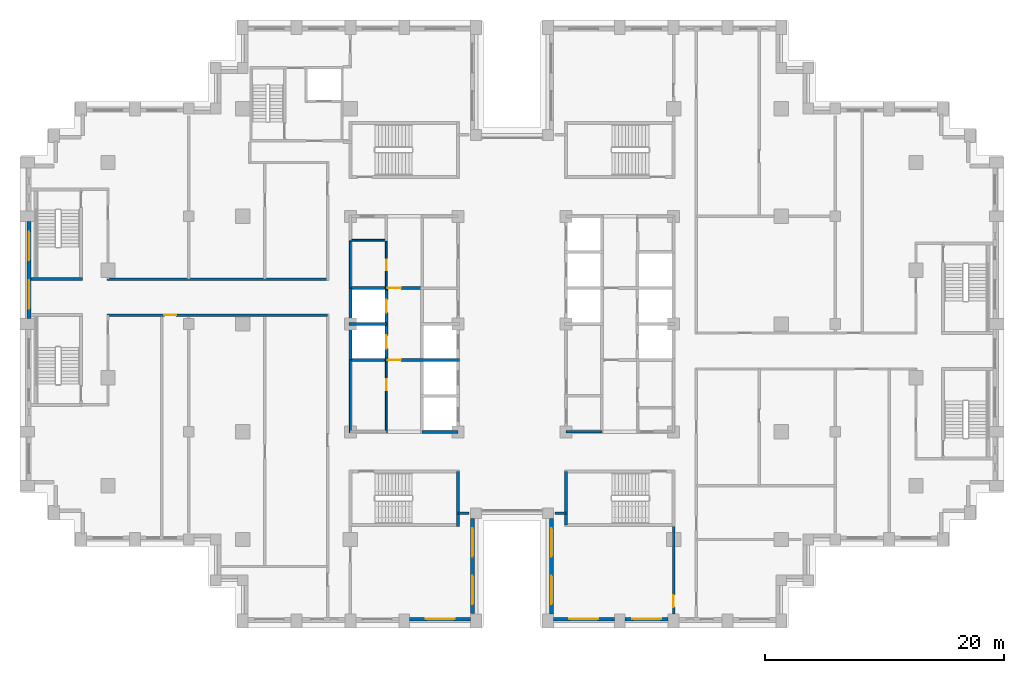
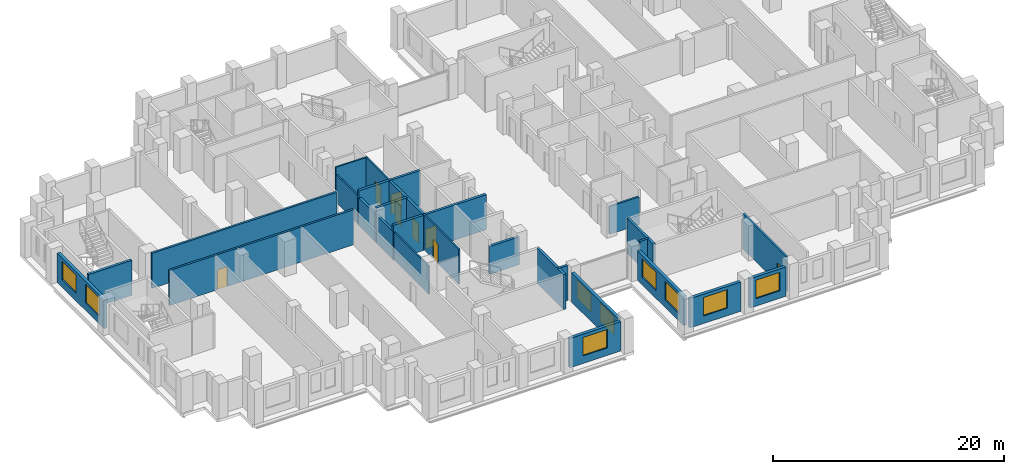
# One storey, part 7 of 16: 26 walls, 9 windows, 8 doors, 17 openings.
"""IFC4 building model written with IfcOpenShell, lengths in metres."""

from ifc_helpers import new_model, si_unit, direction, frame, frame_2d, origin, place, context, subcontext, project, spatial, rectangle, extrude, material, layer, layer_set, type_object, element, fill, save


model = new_model("IFC4")

# Units and contexts
model_context = context("Model", 3, precision=1e-05, world=origin(), true_north=direction((0.0, 1.0)))
body_context = subcontext(model_context, "Body", "Model", "MODEL_VIEW")
ifc_project = project(units=[si_unit("LENGTHUNIT", "METRE"), si_unit("AREAUNIT", "SQUARE_METRE"), si_unit("VOLUMEUNIT", "CUBIC_METRE"), si_unit("PLANEANGLEUNIT", "RADIAN"), si_unit("MASSUNIT", "GRAM", prefix="KILO")], contexts=[model_context])

# Site, building, storey
site_placement = place(None, origin())
site = spatial("IfcSite", under=ifc_project, at=site_placement, CompositionType="ELEMENT")
building_placement = place(site_placement, origin())
building = spatial("IfcBuilding", under=site, at=building_placement, Name="Corbelhall Arena Tower", CompositionType="ELEMENT")
storey_placement = place(building_placement, frame((0.0, 0.0, 104.0)))
storey = spatial("IfcBuildingStorey", under=building, at=storey_placement, Name="L18", CompositionType="ELEMENT", Elevation=104.0)

# Wall, openings, windows
ifc_material_1 = material(Name="Precast concrete C40/50 with granite facing", Category="masonry")
ifc_layer_1 = layer(ifc_material_1, 0.300048828125)
ifc_layer_set_1 = layer_set([ifc_layer_1], Name="EV-IW1 Infill panel 300")
wall_type_1 = type_object("IfcWallType", Name="EV-IW1 Infill panel 300", PredefinedType="SOLIDWALL", material=ifc_layer_set_1)
wall_1_placement = place(storey_placement, frame((-40.35009765625, 8.550048828125, 0.0), z_axis=(0.0, 0.0, 1.0), x_axis=(0.0, -1.0, 0.0)))
wall_1 = element("IfcWall", 1, at=wall_1_placement, inside=storey, type_object=wall_type_1, Name="Infill panel IW1", PredefinedType="SOLIDWALL", context=body_context, shape_type="SweptSolid", body=[
    extrude(rectangle(XDim=8.10009765625, YDim=0.300048828125, at=frame_2d((4.050048828125, 0.0))), origin(), (0.0, 0.0, 1.0), 3.10009765625),
])
opening_1_placement = place(wall_1_placement, frame((0.824951171875, 0.0, 0.800048828125)))
opening_1 = element("IfcOpeningElement", 2, at=opening_1_placement, cuts=wall_1, Name="Opening WN1", PredefinedType="OPENING", context=body_context, shape_type="SweptSolid", body=[
    extrude(rectangle(XDim=2.39990234375, YDim=1.949951171875, at=frame_2d((1.199951171875, 0.97509765625))), frame((0.0, 0.14990234375, 0.0), z_axis=(0.0, -1.0, 0.0), x_axis=(1.0, 0.0, 0.0)), (0.0, 0.0, 1.0), 0.300048828125),
])
opening_2_placement = place(wall_1_placement, frame((4.875, 0.0, 0.800048828125)))
opening_2 = element("IfcOpeningElement", 3, at=opening_2_placement, cuts=wall_1, Name="Opening WN1", PredefinedType="OPENING", context=body_context, shape_type="SweptSolid", body=[
    extrude(rectangle(XDim=2.39990234375, YDim=1.949951171875, at=frame_2d((1.199951171875, 0.97509765625))), frame((0.0, 0.14990234375, 0.0), z_axis=(0.0, -1.0, 0.0), x_axis=(1.0, 0.0, 0.0)), (0.0, 0.0, 1.0), 0.300048828125),
])
ifc_material_2 = material(Name="Aluminium black anodised", Category="aluminium")
window_type = type_object("IfcWindowType", Name="EV-WN1 Office window", PartitioningType="SINGLE_PANEL", PredefinedType="WINDOW", material=ifc_material_2)
window_1_placement = place(opening_1_placement, origin())
window_1 = element("IfcWindow", 4, at=window_1_placement, inside=storey, type_object=window_type, Name="Window WN1", OverallHeight=1.949951171875, OverallWidth=2.39990234375, PartitioningType="SINGLE_PANEL", PredefinedType="WINDOW", context=body_context, shape_type="SweptSolid", body=[
    extrude(rectangle(XDim=2.39990234375, YDim=1.949951171875, at=frame_2d((1.199951171875, 0.97509765625))), frame((0.0, 0.030029296875, 0.0), z_axis=(0.0, -1.0, 0.0), x_axis=(1.0, 0.0, 0.0)), (0.0, 0.0, 1.0), 0.06005859375),
])
fill(opening_1, window_1)
window_2_placement = place(opening_2_placement, origin())
window_2 = element("IfcWindow", 5, at=window_2_placement, inside=storey, type_object=window_type, Name="Window WN1", OverallHeight=1.949951171875, OverallWidth=2.39990234375, PartitioningType="SINGLE_PANEL", PredefinedType="WINDOW", context=body_context, shape_type="SweptSolid", body=[
    extrude(rectangle(XDim=2.39990234375, YDim=1.949951171875, at=frame_2d((1.199951171875, 0.97509765625))), frame((0.0, 0.030029296875, 0.0), z_axis=(0.0, -1.0, 0.0), x_axis=(1.0, 0.0, 0.0)), (0.0, 0.0, 1.0), 0.06005859375),
])
fill(opening_2, window_2)

# Wall, opening, window
wall_2_placement = place(storey_placement, frame((-8.550048828125, -24.64990234375, 0.0), z_axis=(0.0, 0.0, 1.0), x_axis=(1.0, 0.0, 0.0)))
wall_2 = element("IfcWall", 6, at=wall_2_placement, inside=storey, type_object=wall_type_1, Name="Infill panel IW1", PredefinedType="SOLIDWALL", context=body_context, shape_type="SweptSolid", body=[
    extrude(rectangle(XDim=5.10009765625, YDim=0.300048828125, at=frame_2d((2.550048828125, 0.0))), origin(), (0.0, 0.0, 1.0), 3.10009765625),
])
opening_3_placement = place(wall_2_placement, frame((1.35009765625, 0.0, 0.800048828125)))
opening_3 = element("IfcOpeningElement", 7, at=opening_3_placement, cuts=wall_2, Name="Opening WN1", PredefinedType="OPENING", context=body_context, shape_type="SweptSolid", body=[
    extrude(rectangle(XDim=2.39990234375, YDim=1.949951171875, at=frame_2d((1.199951171875, 0.97509765625))), frame((0.0, 0.14990234375, 0.0), z_axis=(0.0, -1.0, 0.0), x_axis=(1.0, 0.0, 0.0)), (0.0, 0.0, 1.0), 0.300048828125),
])
window_3_placement = place(opening_3_placement, origin())
window_3 = element("IfcWindow", 8, at=window_3_placement, inside=storey, type_object=window_type, Name="Window WN1", OverallHeight=1.949951171875, OverallWidth=2.39990234375, PartitioningType="SINGLE_PANEL", PredefinedType="WINDOW", context=body_context, shape_type="SweptSolid", body=[
    extrude(rectangle(XDim=2.39990234375, YDim=1.949951171875, at=frame_2d((1.199951171875, 0.97509765625))), frame((0.0, 0.030029296875, 0.0), z_axis=(0.0, -1.0, 0.0), x_axis=(1.0, 0.0, 0.0)), (0.0, 0.0, 1.0), 0.06005859375),
])
fill(opening_3, window_3)

# Wall, openings, windows
wall_3_placement = place(storey_placement, frame((-3.300048828125, -24.199951171875, 0.0), z_axis=(0.0, 0.0, 1.0), x_axis=(0.0, 1.0, 0.0)))
wall_3 = element("IfcWall", 9, at=wall_3_placement, inside=storey, type_object=wall_type_1, Name="Infill panel IW1", PredefinedType="SOLIDWALL", context=body_context, shape_type="SweptSolid", body=[
    extrude(rectangle(XDim=7.949951171875, YDim=0.300048828125, at=frame_2d((3.97509765625, 0.0))), origin(), (0.0, 0.0, 1.0), 3.10009765625),
])
opening_4_placement = place(wall_3_placement, frame((0.78759765625, 0.0, 0.800048828125)))
opening_4 = element("IfcOpeningElement", 10, at=opening_4_placement, cuts=wall_3, Name="Opening WN1", PredefinedType="OPENING", context=body_context, shape_type="SweptSolid", body=[
    extrude(rectangle(XDim=2.39990234375, YDim=1.949951171875, at=frame_2d((1.199951171875, 0.97509765625))), frame((0.0, 0.14990234375, 0.0), z_axis=(0.0, -1.0, 0.0), x_axis=(1.0, 0.0, 0.0)), (0.0, 0.0, 1.0), 0.300048828125),
])
opening_5_placement = place(wall_3_placement, frame((4.762451171875, 0.0, 0.800048828125)))
opening_5 = element("IfcOpeningElement", 11, at=opening_5_placement, cuts=wall_3, Name="Opening WN1", PredefinedType="OPENING", context=body_context, shape_type="SweptSolid", body=[
    extrude(rectangle(XDim=2.39990234375, YDim=1.949951171875, at=frame_2d((1.199951171875, 0.97509765625))), frame((0.0, 0.14990234375, 0.0), z_axis=(0.0, -1.0, 0.0), x_axis=(1.0, 0.0, 0.0)), (0.0, 0.0, 1.0), 0.300048828125),
])
window_4_placement = place(opening_4_placement, origin())
window_4 = element("IfcWindow", 12, at=window_4_placement, inside=storey, type_object=window_type, Name="Window WN1", OverallHeight=1.949951171875, OverallWidth=2.39990234375, PartitioningType="SINGLE_PANEL", PredefinedType="WINDOW", context=body_context, shape_type="SweptSolid", body=[
    extrude(rectangle(XDim=2.39990234375, YDim=1.949951171875, at=frame_2d((1.199951171875, 0.97509765625))), frame((0.0, 0.030029296875, 0.0), z_axis=(0.0, -1.0, 0.0), x_axis=(1.0, 0.0, 0.0)), (0.0, 0.0, 1.0), 0.06005859375),
])
fill(opening_4, window_4)
window_5_placement = place(opening_5_placement, origin())
window_5 = element("IfcWindow", 13, at=window_5_placement, inside=storey, type_object=window_type, Name="Window WN1", OverallHeight=1.949951171875, OverallWidth=2.39990234375, PartitioningType="SINGLE_PANEL", PredefinedType="WINDOW", context=body_context, shape_type="SweptSolid", body=[
    extrude(rectangle(XDim=2.39990234375, YDim=1.949951171875, at=frame_2d((1.199951171875, 0.97509765625))), frame((0.0, 0.030029296875, 0.0), z_axis=(0.0, -1.0, 0.0), x_axis=(1.0, 0.0, 0.0)), (0.0, 0.0, 1.0), 0.06005859375),
])
fill(opening_5, window_5)

wall_4_placement = place(storey_placement, frame((3.300048828125, -16.25, 0.0), z_axis=(0.0, 0.0, 1.0), x_axis=(0.0, -1.0, 0.0)))
wall_4 = element("IfcWall", 14, at=wall_4_placement, inside=storey, type_object=wall_type_1, Name="Infill panel IW1", PredefinedType="SOLIDWALL", context=body_context, shape_type="SweptSolid", body=[
    extrude(rectangle(XDim=7.949951171875, YDim=0.300048828125, at=frame_2d((3.97509765625, 0.0))), origin(), (0.0, 0.0, 1.0), 3.10009765625),
])
opening_6_placement = place(wall_4_placement, frame((0.78759765625, 0.0, 0.800048828125)))
opening_6 = element("IfcOpeningElement", 15, at=opening_6_placement, cuts=wall_4, Name="Opening WN1", PredefinedType="OPENING", context=body_context, shape_type="SweptSolid", body=[
    extrude(rectangle(XDim=2.39990234375, YDim=1.949951171875, at=frame_2d((1.199951171875, 0.97509765625))), frame((0.0, 0.14990234375, 0.0), z_axis=(0.0, -1.0, 0.0), x_axis=(1.0, 0.0, 0.0)), (0.0, 0.0, 1.0), 0.300048828125),
])
opening_7_placement = place(wall_4_placement, frame((4.762451171875, 0.0, 0.800048828125)))
opening_7 = element("IfcOpeningElement", 16, at=opening_7_placement, cuts=wall_4, Name="Opening WN1", PredefinedType="OPENING", context=body_context, shape_type="SweptSolid", body=[
    extrude(rectangle(XDim=2.39990234375, YDim=1.949951171875, at=frame_2d((1.199951171875, 0.97509765625))), frame((0.0, 0.14990234375, 0.0), z_axis=(0.0, -1.0, 0.0), x_axis=(1.0, 0.0, 0.0)), (0.0, 0.0, 1.0), 0.300048828125),
])
window_6_placement = place(opening_6_placement, origin())
window_6 = element("IfcWindow", 17, at=window_6_placement, inside=storey, type_object=window_type, Name="Window WN1", OverallHeight=1.949951171875, OverallWidth=2.39990234375, PartitioningType="SINGLE_PANEL", PredefinedType="WINDOW", context=body_context, shape_type="SweptSolid", body=[
    extrude(rectangle(XDim=2.39990234375, YDim=1.949951171875, at=frame_2d((1.199951171875, 0.97509765625))), frame((0.0, 0.030029296875, 0.0), z_axis=(0.0, -1.0, 0.0), x_axis=(1.0, 0.0, 0.0)), (0.0, 0.0, 1.0), 0.06005859375),
])
fill(opening_6, window_6)
window_7_placement = place(opening_7_placement, origin())
window_7 = element("IfcWindow", 18, at=window_7_placement, inside=storey, type_object=window_type, Name="Window WN1", OverallHeight=1.949951171875, OverallWidth=2.39990234375, PartitioningType="SINGLE_PANEL", PredefinedType="WINDOW", context=body_context, shape_type="SweptSolid", body=[
    extrude(rectangle(XDim=2.39990234375, YDim=1.949951171875, at=frame_2d((1.199951171875, 0.97509765625))), frame((0.0, 0.030029296875, 0.0), z_axis=(0.0, -1.0, 0.0), x_axis=(1.0, 0.0, 0.0)), (0.0, 0.0, 1.0), 0.06005859375),
])
fill(opening_7, window_7)

# Wall, opening, window
wall_5_placement = place(storey_placement, frame((3.449951171875, -24.64990234375, 0.0), z_axis=(0.0, 0.0, 1.0), x_axis=(1.0, 0.0, 0.0)))
wall_5 = element("IfcWall", 19, at=wall_5_placement, inside=storey, type_object=wall_type_1, Name="Infill panel IW1", PredefinedType="SOLIDWALL", context=body_context, shape_type="SweptSolid", body=[
    extrude(rectangle(XDim=5.10009765625, YDim=0.300048828125, at=frame_2d((2.550048828125, 0.0))), origin(), (0.0, 0.0, 1.0), 3.10009765625),
])
opening_8_placement = place(wall_5_placement, frame((1.35009765625, 0.0, 0.800048828125)))
opening_8 = element("IfcOpeningElement", 20, at=opening_8_placement, cuts=wall_5, Name="Opening WN1", PredefinedType="OPENING", context=body_context, shape_type="SweptSolid", body=[
    extrude(rectangle(XDim=2.39990234375, YDim=1.949951171875, at=frame_2d((1.199951171875, 0.97509765625))), frame((0.0, 0.14990234375, 0.0), z_axis=(0.0, -1.0, 0.0), x_axis=(1.0, 0.0, 0.0)), (0.0, 0.0, 1.0), 0.300048828125),
])
window_8_placement = place(opening_8_placement, origin())
window_8 = element("IfcWindow", 21, at=window_8_placement, inside=storey, type_object=window_type, Name="Window WN1", OverallHeight=1.949951171875, OverallWidth=2.39990234375, PartitioningType="SINGLE_PANEL", PredefinedType="WINDOW", context=body_context, shape_type="SweptSolid", body=[
    extrude(rectangle(XDim=2.39990234375, YDim=1.949951171875, at=frame_2d((1.199951171875, 0.97509765625))), frame((0.0, 0.030029296875, 0.0), z_axis=(0.0, -1.0, 0.0), x_axis=(1.0, 0.0, 0.0)), (0.0, 0.0, 1.0), 0.06005859375),
])
fill(opening_8, window_8)

wall_6_placement = place(storey_placement, frame((9.449951171875, -24.64990234375, 0.0), z_axis=(0.0, 0.0, 1.0), x_axis=(1.0, 0.0, 0.0)))
wall_6 = element("IfcWall", 22, at=wall_6_placement, inside=storey, type_object=wall_type_1, Name="Infill panel IW1", PredefinedType="SOLIDWALL", context=body_context, shape_type="SweptSolid", body=[
    extrude(rectangle(XDim=3.60009765625, YDim=0.300048828125, at=frame_2d((1.800048828125, 0.0))), origin(), (0.0, 0.0, 1.0), 3.10009765625),
])
opening_9_placement = place(wall_6_placement, frame((0.60009765625, 0.0, 0.800048828125)))
opening_9 = element("IfcOpeningElement", 23, at=opening_9_placement, cuts=wall_6, Name="Opening WN1", PredefinedType="OPENING", context=body_context, shape_type="SweptSolid", body=[
    extrude(rectangle(XDim=2.39990234375, YDim=1.949951171875, at=frame_2d((1.199951171875, 0.97509765625))), frame((0.0, 0.14990234375, 0.0), z_axis=(0.0, -1.0, 0.0), x_axis=(1.0, 0.0, 0.0)), (0.0, 0.0, 1.0), 0.300048828125),
])
window_9_placement = place(opening_9_placement, origin())
window_9 = element("IfcWindow", 24, at=window_9_placement, inside=storey, type_object=window_type, Name="Window WN1", OverallHeight=1.949951171875, OverallWidth=2.39990234375, PartitioningType="SINGLE_PANEL", PredefinedType="WINDOW", context=body_context, shape_type="SweptSolid", body=[
    extrude(rectangle(XDim=2.39990234375, YDim=1.949951171875, at=frame_2d((1.199951171875, 0.97509765625))), frame((0.0, 0.030029296875, 0.0), z_axis=(0.0, -1.0, 0.0), x_axis=(1.0, 0.0, 0.0)), (0.0, 0.0, 1.0), 0.06005859375),
])
fill(opening_9, window_9)

# Wall
ifc_material_3 = material(Name="Gypsum board on steel stud, acoustic", Category="steel")
ifc_layer_2 = layer(ifc_material_3, 0.199951171875)
ifc_layer_set_2 = layer_set([ifc_layer_2], Name="IN-W-DM200")
wall_type_2 = type_object("IfcWallType", Name="IN-W-DM200", PredefinedType="PARTITIONING", material=ifc_layer_set_2)
wall_7_placement = place(storey_placement, frame((-33.85009765625, 3.75, 0.0), z_axis=(0.0, 0.0, 1.0), x_axis=(1.0, 0.0, 0.0)))
element("IfcWall", 25, at=wall_7_placement, inside=storey, type_object=wall_type_2, Name="Partition 002", PredefinedType="PARTITIONING", context=body_context, shape_type="SweptSolid", body=[
    extrude(rectangle(XDim=18.4501953125, YDim=0.199951171875, at=frame_2d((9.22509765625, 0.0))), origin(), (0.0, 0.0, 1.0), 3.699951171875),
])

# Wall, opening, door
wall_8_placement = place(storey_placement, frame((-15.39990234375, 0.75, 0.0), z_axis=(0.0, 0.0, 1.0), x_axis=(-1.0, 0.0, 0.0)))
wall_8 = element("IfcWall", 26, at=wall_8_placement, inside=storey, type_object=wall_type_2, Name="Partition 007", PredefinedType="PARTITIONING", context=body_context, shape_type="SweptSolid", body=[
    extrude(rectangle(XDim=18.4501953125, YDim=0.199951171875, at=frame_2d((9.22509765625, 0.0))), origin(), (0.0, 0.0, 1.0), 3.699951171875),
])
opening_10_placement = place(wall_8_placement, frame((12.64990234375, 0.0, 0.0)))
opening_10 = element("IfcOpeningElement", 27, at=opening_10_placement, cuts=wall_8, Name="Opening 04041", PredefinedType="OPENING", context=body_context, shape_type="SweptSolid", body=[
    extrude(rectangle(XDim=1.0, YDim=2.10009765625, at=frame_2d((0.5, 1.050048828125))), frame((0.0, 0.10009765625, 0.0), z_axis=(0.0, -1.0, 0.0), x_axis=(1.0, 0.0, 0.0)), (0.0, 0.0, 1.0), 0.199951171875),
])
ifc_material_4 = material(Name="Steel door set", Category="steel")
door_type_1 = type_object("IfcDoorType", Name="IN-D-SW100", OperationType="NOTDEFINED", PredefinedType="DOOR", material=ifc_material_4)
door_1_placement = place(opening_10_placement, origin())
door_1 = element("IfcDoor", 28, at=door_1_placement, inside=storey, type_object=door_type_1, Name="Door 041", OperationType="SINGLE_SWING_RIGHT", OverallHeight=2.10009765625, OverallWidth=1.0, PredefinedType="DOOR", context=body_context, shape_type="SweptSolid", body=[
    extrude(rectangle(XDim=1.0, YDim=2.10009765625, at=frame_2d((0.5, 1.050048828125))), frame((0.0, 0.02490234375, 0.0), z_axis=(0.0, -1.0, 0.0), x_axis=(1.0, 0.0, 0.0)), (0.0, 0.0, 1.0), 0.050048828125),
])
fill(opening_10, door_1)

# Walls
for number, where, z_axis, x_axis, name in (
    (29, (-3.60009765625, -15.800048828125, 0.0), (0.0, 0.0, 1.0), (-1.0, 0.0, 0.0), "Partition 022"),
    (30, (4.5, -15.800048828125, 0.0), (0.0, 0.0, 1.0), (-1.0, 0.0, 0.0), "Partition 024"),
):
    element("IfcWall", number, at=place(storey_placement, frame(where, z_axis=z_axis, x_axis=x_axis)), inside=storey, type_object=wall_type_2, Name=name, PredefinedType="PARTITIONING", context=body_context, shape_type="SweptSolid", body=[
        extrude(rectangle(XDim=0.89990234375, YDim=0.199951171875, at=frame_2d((0.449951171875, 0.0))), origin(), (0.0, 0.0, 1.0), 3.699951171875),
    ])

# Wall, opening, door
wall_9_placement = place(storey_placement, frame((13.5, -24.199951171875, 0.0), z_axis=(0.0, 0.0, 1.0), x_axis=(0.0, 1.0, 0.0)))
wall_9 = element("IfcWall", 31, at=wall_9_placement, inside=storey, type_object=wall_type_2, Name="Partition 025", PredefinedType="PARTITIONING", context=body_context, shape_type="SweptSolid", body=[
    extrude(rectangle(XDim=7.52490234375, YDim=0.199951171875, at=frame_2d((3.762451171875, 0.0))), origin(), (0.0, 0.0, 1.0), 3.699951171875),
])
opening_11_placement = place(wall_9_placement, frame((0.550048828125, 0.0, 0.0)))
opening_11 = element("IfcOpeningElement", 32, at=opening_11_placement, cuts=wall_9, Name="Opening 04026", PredefinedType="OPENING", context=body_context, shape_type="SweptSolid", body=[
    extrude(rectangle(XDim=1.0, YDim=2.10009765625, at=frame_2d((0.5, 1.050048828125))), frame((0.0, 0.10009765625, 0.0), z_axis=(0.0, -1.0, 0.0), x_axis=(1.0, 0.0, 0.0)), (0.0, 0.0, 1.0), 0.199951171875),
])
door_2_placement = place(opening_11_placement, origin())
door_2 = element("IfcDoor", 33, at=door_2_placement, inside=storey, type_object=door_type_1, Name="Door 026", OperationType="SINGLE_SWING_LEFT", OverallHeight=2.10009765625, OverallWidth=1.0, PredefinedType="DOOR", context=body_context, shape_type="SweptSolid", body=[
    extrude(rectangle(XDim=1.0, YDim=2.10009765625, at=frame_2d((0.5, 1.050048828125))), frame((0.0, 0.02490234375, 0.0), z_axis=(0.0, -1.0, 0.0), x_axis=(1.0, 0.0, 0.0)), (0.0, 0.0, 1.0), 0.050048828125),
])
fill(opening_11, door_2)

# Walls
ifc_material_5 = material(Name="Concrete block wall", Category="concrete")
ifc_layer_3 = layer(ifc_material_5, 0.199951171875)
ifc_layer_set_3 = layer_set([ifc_layer_3], Name="IN-W-RS200 under beam 762 mm")
wall_type_3 = type_object("IfcWallType", Name="IN-W-RS200 under beam 762 mm", PredefinedType="SOLIDWALL", material=ifc_layer_set_3)
wall_10_placement = place(storey_placement, frame((7.5, -9.0, 0.0), z_axis=(0.0, 0.0, 1.0), x_axis=(-1.0, 0.0, 0.0)))
element("IfcWall", 34, at=wall_10_placement, inside=storey, type_object=wall_type_3, Name="Partition 053", PredefinedType="SOLIDWALL", context=body_context, shape_type="SweptSolid", body=[
    extrude(rectangle(XDim=3.0, YDim=0.199951171875, at=frame_2d((1.5, 0.0))), origin(), (0.0, 0.0, 1.0), 2.93798828125),
])
ifc_material_6 = material(Name="Concrete C40/50", Category="concrete")
ifc_layer_4 = layer(ifc_material_6, 0.25)
ifc_layer_set_4 = layer_set([ifc_layer_4], Name="IN-W-SH250")
wall_type_4 = type_object("IfcWallType", Name="IN-W-SH250", PredefinedType="SOLIDWALL", material=ifc_layer_set_4)
wall_11_placement = place(storey_placement, frame((-13.625, 0.0, 0.0), z_axis=(0.0, 0.0, 1.0), x_axis=(1.0, 0.0, 0.0)))
element("IfcWall", 35, at=wall_11_placement, inside=storey, type_object=wall_type_4, Name="Shaft wall 060", PredefinedType="SOLIDWALL", context=body_context, shape_type="SweptSolid", body=[
    extrude(rectangle(XDim=3.125, YDim=0.25, at=frame_2d((1.5625, 0.0))), origin(), (0.0, 0.0, 1.0), 3.699951171875),
])

# Wall, opening, door
wall_12_placement = place(storey_placement, frame((-13.625, 3.0, 0.0), z_axis=(0.0, 0.0, 1.0), x_axis=(1.0, 0.0, 0.0)))
wall_12 = element("IfcWall", 36, at=wall_12_placement, inside=storey, type_object=wall_type_4, Name="Shaft wall 061", PredefinedType="SOLIDWALL", context=body_context, shape_type="SweptSolid", body=[
    extrude(rectangle(XDim=6.125, YDim=0.25, at=frame_2d((3.0625, 0.0))), origin(), (0.0, 0.0, 1.0), 3.699951171875),
])
opening_12_placement = place(wall_12_placement, frame((3.25, 0.0, 0.0)))
opening_12 = element("IfcOpeningElement", 37, at=opening_12_placement, cuts=wall_12, Name="Opening 04004", PredefinedType="OPENING", context=body_context, shape_type="SweptSolid", body=[
    extrude(rectangle(XDim=1.10009765625, YDim=2.10009765625, at=frame_2d((0.550048828125, 1.050048828125))), frame((0.0, 0.125, 0.0), z_axis=(0.0, -1.0, 0.0), x_axis=(1.0, 0.0, 0.0)), (0.0, 0.0, 1.0), 0.25),
])
door_type_2 = type_object("IfcDoorType", Name="IN-D-FD110", OperationType="NOTDEFINED", PredefinedType="DOOR", material=ifc_material_4)
door_3_placement = place(opening_12_placement, origin())
door_3 = element("IfcDoor", 38, at=door_3_placement, inside=storey, type_object=door_type_2, Name="Door 004", OperationType="SINGLE_SWING_LEFT", OverallHeight=2.10009765625, OverallWidth=1.10009765625, PredefinedType="DOOR", context=body_context, shape_type="SweptSolid", body=[
    extrude(rectangle(XDim=1.10009765625, YDim=2.10009765625, at=frame_2d((0.550048828125, 1.050048828125))), frame((0.0, 0.02490234375, 0.0), z_axis=(0.0, -1.0, 0.0), x_axis=(1.0, 0.0, 0.0)), (0.0, 0.0, 1.0), 0.050048828125),
])
fill(opening_12, door_3)

wall_13_placement = place(storey_placement, frame((-13.625, -3.0, 0.0), z_axis=(0.0, 0.0, 1.0), x_axis=(1.0, 0.0, 0.0)))
wall_13 = element("IfcWall", 39, at=wall_13_placement, inside=storey, type_object=wall_type_4, Name="Shaft wall 063", PredefinedType="SOLIDWALL", context=body_context, shape_type="SweptSolid", body=[
    extrude(rectangle(XDim=9.25, YDim=0.25, at=frame_2d((4.625, 0.0))), origin(), (0.0, 0.0, 1.0), 3.699951171875),
])
opening_13_placement = place(wall_13_placement, frame((3.25, 0.0, 0.0)))
opening_13 = element("IfcOpeningElement", 40, at=opening_13_placement, cuts=wall_13, Name="Opening 04003", PredefinedType="OPENING", context=body_context, shape_type="SweptSolid", body=[
    extrude(rectangle(XDim=1.10009765625, YDim=2.10009765625, at=frame_2d((0.550048828125, 1.050048828125))), frame((0.0, 0.125, 0.0), z_axis=(0.0, -1.0, 0.0), x_axis=(1.0, 0.0, 0.0)), (0.0, 0.0, 1.0), 0.25),
])
door_4_placement = place(opening_13_placement, origin())
door_4 = element("IfcDoor", 41, at=door_4_placement, inside=storey, type_object=door_type_2, Name="Door 003", OperationType="SINGLE_SWING_RIGHT", OverallHeight=2.10009765625, OverallWidth=1.10009765625, PredefinedType="DOOR", context=body_context, shape_type="SweptSolid", body=[
    extrude(rectangle(XDim=1.10009765625, YDim=2.10009765625, at=frame_2d((0.550048828125, 1.050048828125))), frame((0.0, 0.02490234375, 0.0), z_axis=(0.0, -1.0, 0.0), x_axis=(1.0, 0.0, 0.0)), (0.0, 0.0, 1.0), 0.050048828125),
])
fill(opening_13, door_4)

# Wall, openings, doors
wall_14_placement = place(storey_placement, frame((-10.5, -3.125, 0.0), z_axis=(0.0, 0.0, 1.0), x_axis=(0.0, 1.0, 0.0)))
wall_14 = element("IfcWall", 42, at=wall_14_placement, inside=storey, type_object=wall_type_4, Name="Shaft wall 064", PredefinedType="SOLIDWALL", context=body_context, shape_type="SweptSolid", body=[
    extrude(rectangle(XDim=6.25, YDim=0.25, at=frame_2d((3.125, 0.0))), origin(), (0.0, 0.0, 1.0), 3.699951171875),
])
opening_14_placement = place(wall_14_placement, frame((1.074951171875, 0.0, 0.0)))
opening_14 = element("IfcOpeningElement", 43, at=opening_14_placement, cuts=wall_14, Name="Opening LD", PredefinedType="OPENING", context=body_context, shape_type="SweptSolid", body=[
    extrude(rectangle(XDim=1.10009765625, YDim=2.10009765625, at=frame_2d((0.550048828125, 1.050048828125))), frame((0.0, 0.125, 0.0), z_axis=(0.0, -1.0, 0.0), x_axis=(1.0, 0.0, 0.0)), (0.0, 0.0, 1.0), 0.25),
])
opening_15_placement = place(wall_14_placement, frame((4.074951171875, 0.0, 0.0)))
opening_15 = element("IfcOpeningElement", 44, at=opening_15_placement, cuts=wall_14, Name="Opening LD", PredefinedType="OPENING", context=body_context, shape_type="SweptSolid", body=[
    extrude(rectangle(XDim=1.10009765625, YDim=2.10009765625, at=frame_2d((0.550048828125, 1.050048828125))), frame((0.0, 0.125, 0.0), z_axis=(0.0, -1.0, 0.0), x_axis=(1.0, 0.0, 0.0)), (0.0, 0.0, 1.0), 0.25),
])
door_type_3 = type_object("IfcDoorType", Name="IN-D-LD110", OperationType="NOTDEFINED", PredefinedType="DOOR", material=ifc_material_4)
door_5_placement = place(opening_14_placement, origin())
door_5 = element("IfcDoor", 45, at=door_5_placement, inside=storey, type_object=door_type_3, Name="Landing door W3", OperationType="SLIDING_TO_LEFT", OverallHeight=2.10009765625, OverallWidth=1.10009765625, PredefinedType="DOOR", context=body_context, shape_type="SweptSolid", body=[
    extrude(rectangle(XDim=1.10009765625, YDim=2.10009765625, at=frame_2d((0.550048828125, 1.050048828125))), frame((0.0, 0.02490234375, 0.0), z_axis=(0.0, -1.0, 0.0), x_axis=(1.0, 0.0, 0.0)), (0.0, 0.0, 1.0), 0.050048828125),
])
fill(opening_14, door_5)
door_6_placement = place(opening_15_placement, origin())
door_6 = element("IfcDoor", 46, at=door_6_placement, inside=storey, type_object=door_type_3, Name="Landing door W4", OperationType="SLIDING_TO_LEFT", OverallHeight=2.10009765625, OverallWidth=1.10009765625, PredefinedType="DOOR", context=body_context, shape_type="SweptSolid", body=[
    extrude(rectangle(XDim=1.10009765625, YDim=2.10009765625, at=frame_2d((0.550048828125, 1.050048828125))), frame((0.0, 0.02490234375, 0.0), z_axis=(0.0, -1.0, 0.0), x_axis=(1.0, 0.0, 0.0)), (0.0, 0.0, 1.0), 0.050048828125),
])
fill(opening_15, door_6)

# Walls
ifc_layer_5 = layer(ifc_material_6, 0.25)
ifc_layer_set_5 = layer_set([ifc_layer_5], Name="IN-W-SH250 under beam 762 mm")
wall_type_5 = type_object("IfcWallType", Name="IN-W-SH250 under beam 762 mm", PredefinedType="SOLIDWALL", material=ifc_layer_set_5)
wall_15_placement = place(storey_placement, frame((-13.5, -3.0, 0.0), z_axis=(0.0, 0.0, 1.0), x_axis=(0.0, 1.0, 0.0)))
element("IfcWall", 47, at=wall_15_placement, inside=storey, type_object=wall_type_5, Name="Shaft wall 062", PredefinedType="SOLIDWALL", context=body_context, shape_type="SweptSolid", body=[
    extrude(rectangle(XDim=6.0, YDim=0.25, at=frame_2d((3.0, 0.0))), origin(), (0.0, 0.0, 1.0), 2.93798828125),
])
wall_16_placement = place(storey_placement, frame((-4.5, -9.0, 0.0), z_axis=(0.0, 0.0, 1.0), x_axis=(-1.0, 0.0, 0.0)))
element("IfcWall", 48, at=wall_16_placement, inside=storey, type_object=wall_type_5, Name="Shaft wall 068", PredefinedType="SOLIDWALL", context=body_context, shape_type="SweptSolid", body=[
    extrude(rectangle(XDim=3.0, YDim=0.25, at=frame_2d((1.5, 0.0))), origin(), (0.0, 0.0, 1.0), 2.93798828125),
])
ifc_layer_6 = layer(ifc_material_6, 0.25)
ifc_layer_set_6 = layer_set([ifc_layer_6], Name="IN-W-ST250")
wall_type_6 = type_object("IfcWallType", Name="IN-W-ST250", PredefinedType="SOLIDWALL", material=ifc_layer_set_6)
wall_17_placement = place(storey_placement, frame((-40.199951171875, 3.75, 0.0), z_axis=(0.0, 0.0, 1.0), x_axis=(1.0, 0.0, 0.0)))
element("IfcWall", 49, at=wall_17_placement, inside=storey, type_object=wall_type_6, Name="Shaft wall 081", PredefinedType="SOLIDWALL", context=body_context, shape_type="SweptSolid", body=[
    extrude(rectangle(XDim=4.324951171875, YDim=0.25, at=frame_2d((2.16259765625, 0.0))), origin(), (0.0, 0.0, 1.0), 3.699951171875),
])
wall_18_placement = place(storey_placement, frame((-4.5, -12.300048828125, 0.0), z_axis=(0.0, 0.0, 1.0), x_axis=(0.0, -1.0, 0.0)))
element("IfcWall", 50, at=wall_18_placement, inside=storey, type_object=wall_type_6, Name="Shaft wall 092", PredefinedType="SOLIDWALL", context=body_context, shape_type="SweptSolid", body=[
    extrude(rectangle(XDim=4.625, YDim=0.25, at=frame_2d((2.3125, 0.0))), origin(), (0.0, 0.0, 1.0), 3.699951171875),
])
wall_19_placement = place(storey_placement, frame((4.5, -16.800048828125, 0.0), z_axis=(0.0, 0.0, 1.0), x_axis=(0.0, 1.0, 0.0)))
element("IfcWall", 51, at=wall_19_placement, inside=storey, type_object=wall_type_6, Name="Shaft wall 097", PredefinedType="SOLIDWALL", context=body_context, shape_type="SweptSolid", body=[
    extrude(rectangle(XDim=4.5, YDim=0.25, at=frame_2d((2.25, 0.0))), origin(), (0.0, 0.0, 1.0), 3.699951171875),
])
ifc_material_7 = material(Name="Gypsum board on steel stud, moisture resistant", Category="steel")
ifc_layer_7 = layer(ifc_material_7, 0.14990234375)
ifc_layer_set_7 = layer_set([ifc_layer_7], Name="IN-W-WC150")
wall_type_7 = type_object("IfcWallType", Name="IN-W-WC150", PredefinedType="PARTITIONING", material=ifc_layer_set_7)
wall_20_placement = place(storey_placement, frame((-13.60009765625, 7.0, 0.0), z_axis=(0.0, 0.0, 1.0), x_axis=(1.0, 0.0, 0.0)))
element("IfcWall", 52, at=wall_20_placement, inside=storey, type_object=wall_type_7, Name="Partition 109", PredefinedType="PARTITIONING", context=body_context, shape_type="SweptSolid", body=[
    extrude(rectangle(XDim=3.10009765625, YDim=0.14990234375, at=frame_2d((1.550048828125, 0.0))), origin(), (0.0, 0.0, 1.0), 3.699951171875),
])

# Wall, opening, door
wall_21_placement = place(storey_placement, frame((-10.5, -9.074951171875, 0.0), z_axis=(0.0, 0.0, 1.0), x_axis=(0.0, 1.0, 0.0)))
wall_21 = element("IfcWall", 53, at=wall_21_placement, inside=storey, type_object=wall_type_7, Name="Partition 112", PredefinedType="PARTITIONING", context=body_context, shape_type="SweptSolid", body=[
    extrude(rectangle(XDim=6.199951171875, YDim=0.14990234375, at=frame_2d((3.10009765625, 0.0))), origin(), (0.0, 0.0, 1.0), 3.699951171875),
])
opening_16_placement = place(wall_21_placement, frame((3.550048828125, 0.0, 0.0)))
opening_16 = element("IfcOpeningElement", 54, at=opening_16_placement, cuts=wall_21, Name="Opening 04005", PredefinedType="OPENING", context=body_context, shape_type="SweptSolid", body=[
    extrude(rectangle(XDim=0.89990234375, YDim=2.10009765625, at=frame_2d((0.449951171875, 1.050048828125))), frame((0.0, 0.074951171875, 0.0), z_axis=(0.0, -1.0, 0.0), x_axis=(1.0, 0.0, 0.0)), (0.0, 0.0, 1.0), 0.14990234375),
])
ifc_material_8 = material(Name="Timber door set", Category="wood")
door_type_4 = type_object("IfcDoorType", Name="IN-D-SW90", OperationType="NOTDEFINED", PredefinedType="DOOR", material=ifc_material_8)
door_7_placement = place(opening_16_placement, origin())
door_7 = element("IfcDoor", 55, at=door_7_placement, inside=storey, type_object=door_type_4, Name="Door 005", OperationType="SINGLE_SWING_RIGHT", OverallHeight=2.10009765625, OverallWidth=0.89990234375, PredefinedType="DOOR", context=body_context, shape_type="SweptSolid", body=[
    extrude(rectangle(XDim=0.89990234375, YDim=2.10009765625, at=frame_2d((0.449951171875, 1.050048828125))), frame((0.0, 0.02490234375, 0.0), z_axis=(0.0, -1.0, 0.0), x_axis=(1.0, 0.0, 0.0)), (0.0, 0.0, 1.0), 0.050048828125),
])
fill(opening_16, door_7)

wall_22_placement = place(storey_placement, frame((-10.5, 2.875, 0.0), z_axis=(0.0, 0.0, 1.0), x_axis=(0.0, 1.0, 0.0)))
wall_22 = element("IfcWall", 56, at=wall_22_placement, inside=storey, type_object=wall_type_7, Name="Partition 114", PredefinedType="PARTITIONING", context=body_context, shape_type="SweptSolid", body=[
    extrude(rectangle(XDim=4.199951171875, YDim=0.14990234375, at=frame_2d((2.10009765625, 0.0))), origin(), (0.0, 0.0, 1.0), 3.699951171875),
])
opening_17_placement = place(wall_22_placement, frame((1.60009765625, 0.0, 0.0)))
opening_17 = element("IfcOpeningElement", 57, at=opening_17_placement, cuts=wall_22, Name="Opening 04006", PredefinedType="OPENING", context=body_context, shape_type="SweptSolid", body=[
    extrude(rectangle(XDim=0.89990234375, YDim=2.10009765625, at=frame_2d((0.449951171875, 1.050048828125))), frame((0.0, 0.074951171875, 0.0), z_axis=(0.0, -1.0, 0.0), x_axis=(1.0, 0.0, 0.0)), (0.0, 0.0, 1.0), 0.14990234375),
])
door_8_placement = place(opening_17_placement, origin())
door_8 = element("IfcDoor", 58, at=door_8_placement, inside=storey, type_object=door_type_4, Name="Door 006", OperationType="SINGLE_SWING_LEFT", OverallHeight=2.10009765625, OverallWidth=0.89990234375, PredefinedType="DOOR", context=body_context, shape_type="SweptSolid", body=[
    extrude(rectangle(XDim=0.89990234375, YDim=2.10009765625, at=frame_2d((0.449951171875, 1.050048828125))), frame((0.0, 0.02490234375, 0.0), z_axis=(0.0, -1.0, 0.0), x_axis=(1.0, 0.0, 0.0)), (0.0, 0.0, 1.0), 0.050048828125),
])
fill(opening_17, door_8)

# Walls
ifc_layer_8 = layer(ifc_material_7, 0.14990234375)
ifc_layer_set_8 = layer_set([ifc_layer_8], Name="IN-W-WC150 under beam 762 mm")
wall_type_8 = type_object("IfcWallType", Name="IN-W-WC150 under beam 762 mm", PredefinedType="PARTITIONING", material=ifc_layer_set_8)
wall_23_placement = place(storey_placement, frame((-13.5, -9.074951171875, 0.0), z_axis=(0.0, 0.0, 1.0), x_axis=(0.0, 1.0, 0.0)))
element("IfcWall", 59, at=wall_23_placement, inside=storey, type_object=wall_type_8, Name="Partition 110", PredefinedType="PARTITIONING", context=body_context, shape_type="SweptSolid", body=[
    extrude(rectangle(XDim=6.074951171875, YDim=0.14990234375, at=frame_2d((3.03759765625, 0.0))), origin(), (0.0, 0.0, 1.0), 2.93798828125),
])
wall_24_placement = place(storey_placement, frame((-13.5, 3.0, 0.0), z_axis=(0.0, 0.0, 1.0), x_axis=(0.0, 1.0, 0.0)))
element("IfcWall", 60, at=wall_24_placement, inside=storey, type_object=wall_type_8, Name="Partition 111", PredefinedType="PARTITIONING", context=body_context, shape_type="SweptSolid", body=[
    extrude(rectangle(XDim=4.0, YDim=0.14990234375, at=frame_2d((2.0, 0.0))), origin(), (0.0, 0.0, 1.0), 2.93798828125),
])

save(model, "model.ifc")
